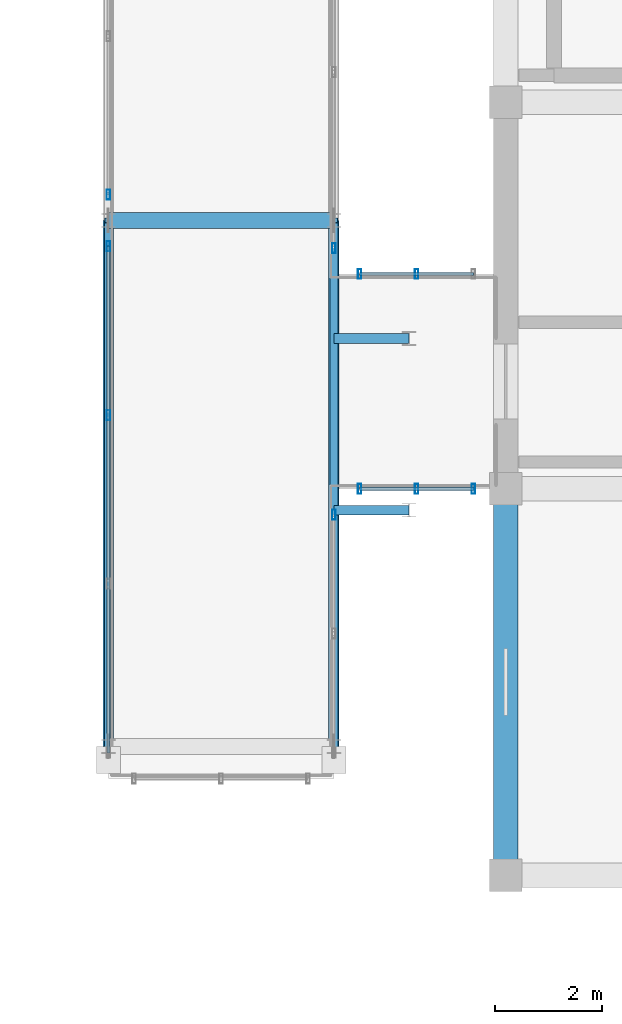
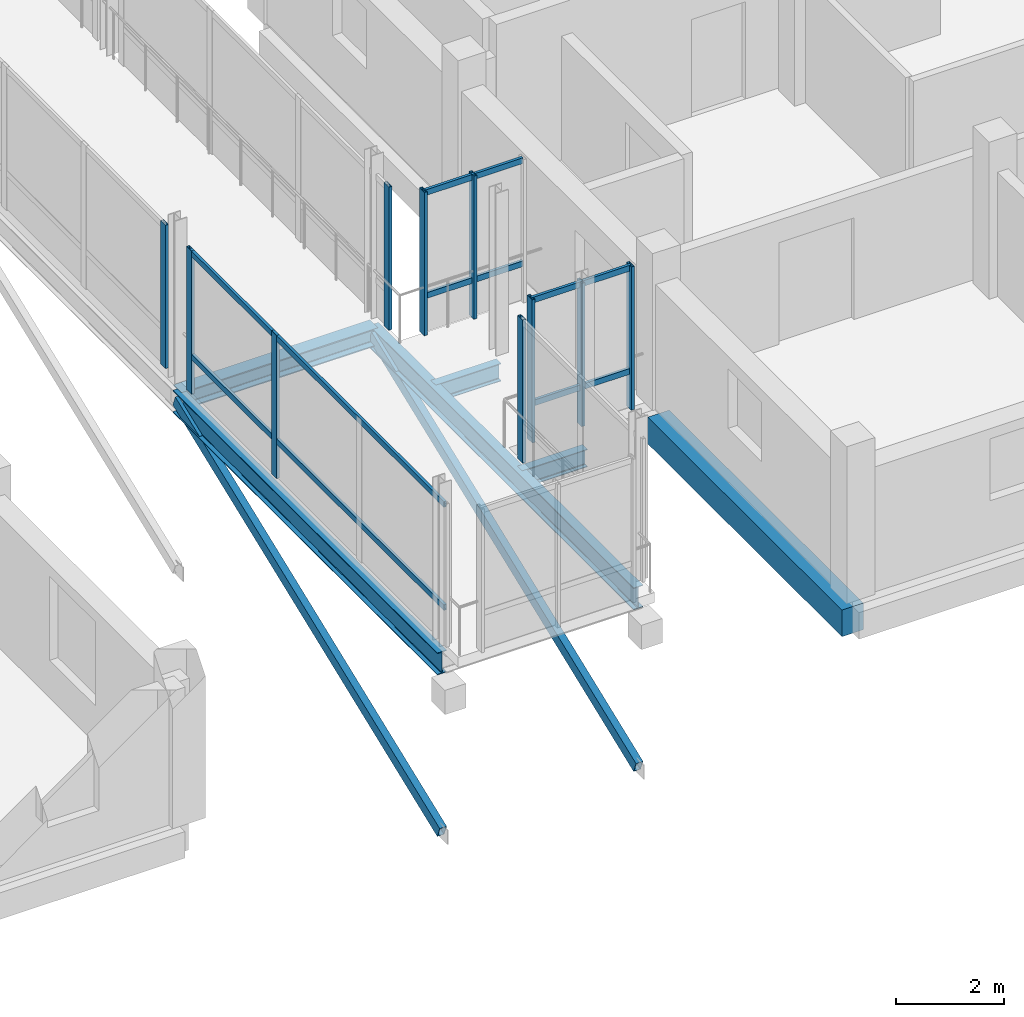
# One storey, part 18 of 128: 18 members, 6 beams, 6 elements without a shape of their own.
"""IFC4 building model written with IfcOpenShell, lengths in metres."""

from ifc_helpers import new_model, si_unit, direction, frame, origin, origin_2d, place, context, subcontext, project, spatial, rectangle, hollow_rectangle, i_section, extrude, material, material_profile, profile_set, type_object, element, aggregate, save


model = new_model("IFC4")

# Units and contexts
model_context = context("Model", 3, precision=1e-05, world=origin(), true_north=direction((0.0, 1.0)))
body_context = subcontext(model_context, "Body", "Model", "MODEL_VIEW")
ifc_project = project(units=[si_unit("LENGTHUNIT", "METRE"), si_unit("AREAUNIT", "SQUARE_METRE"), si_unit("VOLUMEUNIT", "CUBIC_METRE"), si_unit("PLANEANGLEUNIT", "RADIAN"), si_unit("MASSUNIT", "GRAM", prefix="KILO")], contexts=[model_context])

# Site, building, storey
site_placement = place(None, origin())
site = spatial("IfcSite", under=ifc_project, at=site_placement, CompositionType="ELEMENT")
building_placement = place(site_placement, origin())
building = spatial("IfcBuilding", under=site, at=building_placement, Name="Zornivar Specialist Clinic", CompositionType="ELEMENT")
storey_placement = place(building_placement, frame((0.0, 0.0, 4.5)))
storey = spatial("IfcBuildingStorey", under=building, at=storey_placement, Name="L01", CompositionType="ELEMENT", Elevation=4.5)

# Beams
ifc_material_1 = material(Name="Concrete C30/37", Category="concrete")
ifc_material_profile_1 = material_profile(ifc_material_1, rectangle(XDim=0.4599609375, YDim=0.60009765625, at=origin_2d()), Name="RC 460x600")
ifc_profile_set_1 = profile_set([ifc_material_profile_1], Name="Concrete C30/37")
beam_type_1 = type_object("IfcBeamType", Name="BM-RC-SPANDREL-460x600", PredefinedType="SPANDREL", material=ifc_profile_set_1)
beam_1_placement = place(storey_placement, frame((57.60009765625, 0.0, -0.64990234375), z_axis=(0.0, 1.0, 0.0), x_axis=(-1.0, 0.0, 0.0)))
element("IfcBeam", 1, at=beam_1_placement, inside=storey, type_object=beam_type_1, Name="bm:V3:L01:y:576:0", PredefinedType="SPANDREL", context=body_context, shape_type="SweptSolid", body=[
    extrude(rectangle(XDim=0.4599609375, YDim=0.60009765625, at=origin_2d()), origin(), (0.0, 0.0, 1.0), 7.199951171875),
])
ifc_material_2 = material(Name="Steel S355J2", Category="steel")
ifc_material_profile_2 = material_profile(ifc_material_2, i_section(OverallWidth=0.300048828125, OverallDepth=0.39990234375, WebThickness=0.013427734375, FlangeThickness=0.02392578125, FilletRadius=0.027099609375, at=origin_2d()), Name="HEB 400")
ifc_profile_set_2 = profile_set([ifc_material_profile_2], Name="Steel S355J2")
beam_type_2 = type_object("IfcBeamType", Name="BM-STL-HEB400", PredefinedType="BEAM", material=ifc_profile_set_2)
beam_2_placement = place(storey_placement, frame((50.199951171875, 12.199951171875, -0.429931640625), z_axis=(1.0, 0.0, 0.0), x_axis=(0.0, 1.0, 0.0)))
element("IfcBeam", 2, at=beam_2_placement, inside=storey, type_object=beam_type_2, Name="bm:BR1:L01:t:122", PredefinedType="BEAM", context=body_context, shape_type="SweptSolid", body=[
    extrude(i_section(OverallWidth=0.300048828125, OverallDepth=0.39990234375, WebThickness=0.013427734375, FlangeThickness=0.02392578125, FilletRadius=0.027099609375, at=origin_2d()), origin(), (0.0, 0.0, 1.0), 4.199951171875),
])
ifc_material_3 = material(Name="Steel S355J2", Category="steel")
ifc_material_profile_3 = material_profile(ifc_material_3, i_section(OverallWidth=0.179931640625, OverallDepth=0.39990234375, WebThickness=0.008544921875, FlangeThickness=0.013427734375, FilletRadius=0.02099609375, at=origin_2d()), Name="IPE 400")
ifc_profile_set_3 = profile_set([ifc_material_profile_3], Name="Steel S355J2")
beam_type_3 = type_object("IfcBeamType", Name="BM-STL-IPE400", PredefinedType="BEAM", material=ifc_profile_set_3)
for number, where, z_axis, x_axis, name in (
    (3, (54.39990234375, 6.800048828125, -0.429931640625), (1.0, 0.0, 0.0), (0.0, 1.0, 0.0), "bm:BR1:L01:spur:68"),
    (4, (54.39990234375, 10.0, -0.429931640625), (1.0, 0.0, 0.0), (0.0, 1.0, 0.0), "bm:BR1:L01:spur:100"),
):
    element("IfcBeam", number, at=place(storey_placement, frame(where, z_axis=z_axis, x_axis=x_axis)), inside=storey, type_object=beam_type_3, Name=name, PredefinedType="BEAM", context=body_context, shape_type="SweptSolid", body=[
        extrude(i_section(OverallWidth=0.179931640625, OverallDepth=0.39990234375, WebThickness=0.008544921875, FlangeThickness=0.013427734375, FilletRadius=0.02099609375, at=origin_2d()), origin(), (0.0, 0.0, 1.0), 1.400146484375),
    ])
ifc_material_4 = material(Name="Steel S355J2", Category="steel")
ifc_material_profile_4 = material_profile(ifc_material_4, i_section(OverallWidth=0.199951171875, OverallDepth=0.5, WebThickness=0.01025390625, FlangeThickness=0.01611328125, FilletRadius=0.02099609375, at=origin_2d()), Name="IPE 500")
ifc_profile_set_4 = profile_set([ifc_material_profile_4], Name="Steel S355J2")
beam_type_4 = type_object("IfcBeamType", Name="BM-STL-IPE500", PredefinedType="BEAM", material=ifc_profile_set_4)
for number, where, z_axis, x_axis, name in (
    (5, (50.199951171875, 2.39990234375, -0.47998046875), (0.0, 1.0, 0.0), (-1.0, 0.0, 0.0), "bm:BR1:L01:g:502:0"),
    (6, (54.39990234375, 2.39990234375, -0.47998046875), (0.0, 1.0, 0.0), (-1.0, 0.0, 0.0), "bm:BR1:L01:g:544:0"),
):
    element("IfcBeam", number, at=place(storey_placement, frame(where, z_axis=z_axis, x_axis=x_axis)), inside=storey, type_object=beam_type_4, Name=name, PredefinedType="BEAM", context=body_context, shape_type="SweptSolid", body=[
        extrude(i_section(OverallWidth=0.199951171875, OverallDepth=0.5, WebThickness=0.01025390625, FlangeThickness=0.01611328125, FilletRadius=0.02099609375, at=origin_2d()), origin(), (0.0, 0.0, 1.0), 9.800048828125),
    ])

# Curtain wall, members
ifc_material_5 = material(Name="Aluminium and Low-E Glass Curtain Wall", Category="aluminium")
curtain_wall_type = type_object("IfcCurtainWallType", Name="CW-BRIDGE-LINK", PredefinedType="NOTDEFINED", material=ifc_material_5)
curtain_wall_1_placement = place(storey_placement, origin())
curtain_wall_1 = element("IfcCurtainWall", 7, at=curtain_wall_1_placement, inside=storey, type_object=curtain_wall_type, Name="cw:BR1:L01:W:0", PredefinedType="NOTDEFINED")
ifc_material_6 = material(Name="Aluminium AW-6060", Category="aluminium")
ifc_material_profile_5 = material_profile(ifc_material_6, hollow_rectangle(XDim=0.06494140625, YDim=0.18505859375, WallThickness=0.00439453125, at=origin_2d()), Name="ALU 65x185x4.5")
ifc_profile_set_5 = profile_set([ifc_material_profile_5], Name="Aluminium AW-6060")
member_type_1 = type_object("IfcMemberType", Name="CWM-MUL-185", PredefinedType="MULLION", material=ifc_profile_set_5)
member_1_placement = place(storey_placement, frame((50.199951171875, 8.572998046875, 0.0), z_axis=(0.0, 0.0, 1.0), x_axis=(1.0, 0.0, 0.0)))
member_1 = element("IfcMember", 8, at=member_1_placement, type_object=member_type_1, Name="cw:BR1:L01:W:0:mul:2", PredefinedType="MULLION", context=body_context, shape_type="SweptSolid", body=[
    extrude(hollow_rectangle(XDim=0.06494140625, YDim=0.18505859375, WallThickness=0.00439453125, at=origin_2d()), origin(), (0.0, 0.0, 1.0), 3.239990234375),
])
member_2_placement = place(storey_placement, frame((50.199951171875, 11.719970703125, 0.0), z_axis=(0.0, 0.0, 1.0), x_axis=(1.0, 0.0, 0.0)))
member_2 = element("IfcMember", 9, at=member_2_placement, type_object=member_type_1, Name="cw:BR1:L01:W:0:mul:3", PredefinedType="MULLION", context=body_context, shape_type="SweptSolid", body=[
    extrude(hollow_rectangle(XDim=0.06494140625, YDim=0.18505859375, WallThickness=0.00439453125, at=origin_2d()), origin(), (0.0, 0.0, 1.0), 3.239990234375),
])

# Curtain wall, member
curtain_wall_2_placement = place(storey_placement, origin())
curtain_wall_2 = element("IfcCurtainWall", 10, at=curtain_wall_2_placement, inside=storey, type_object=curtain_wall_type, Name="cw:BR1:L01:W:1", PredefinedType="NOTDEFINED")
member_3_placement = place(storey_placement, frame((50.199951171875, 12.679931640625, 0.0), z_axis=(0.0, 0.0, 1.0), x_axis=(1.0, 0.0, 0.0)))
member_3 = element("IfcMember", 11, at=member_3_placement, type_object=member_type_1, Name="cw:BR1:L01:W:1:mul:0", PredefinedType="MULLION", context=body_context, shape_type="SweptSolid", body=[
    extrude(hollow_rectangle(XDim=0.06494140625, YDim=0.18505859375, WallThickness=0.00439453125, at=origin_2d()), origin(), (0.0, 0.0, 1.0), 3.239990234375),
])
aggregate(curtain_wall_2, [member_3])

curtain_wall_3_placement = place(storey_placement, origin())
curtain_wall_3 = element("IfcCurtainWall", 12, at=curtain_wall_3_placement, inside=storey, type_object=curtain_wall_type, Name="cw:BR1:L01:E:0", PredefinedType="NOTDEFINED")
member_4_placement = place(storey_placement, frame((54.39990234375, 6.719970703125, 0.0), z_axis=(0.0, 0.0, 1.0), x_axis=(1.0, 0.0, 0.0)))
member_4 = element("IfcMember", 13, at=member_4_placement, type_object=member_type_1, Name="cw:BR1:L01:E:0:mul:2", PredefinedType="MULLION", context=body_context, shape_type="SweptSolid", body=[
    extrude(hollow_rectangle(XDim=0.06494140625, YDim=0.18505859375, WallThickness=0.00439453125, at=origin_2d()), origin(), (0.0, 0.0, 1.0), 3.239990234375),
])
aggregate(curtain_wall_3, [member_4])

curtain_wall_4_placement = place(storey_placement, origin())
curtain_wall_4 = element("IfcCurtainWall", 14, at=curtain_wall_4_placement, inside=storey, type_object=curtain_wall_type, Name="cw:BR1:L01:E:1", PredefinedType="NOTDEFINED")
member_5_placement = place(storey_placement, frame((54.39990234375, 11.679931640625, 0.0), z_axis=(0.0, 0.0, 1.0), x_axis=(1.0, 0.0, 0.0)))
member_5 = element("IfcMember", 15, at=member_5_placement, type_object=member_type_1, Name="cw:BR1:L01:E:1:mul:0", PredefinedType="MULLION", context=body_context, shape_type="SweptSolid", body=[
    extrude(hollow_rectangle(XDim=0.06494140625, YDim=0.18505859375, WallThickness=0.00439453125, at=origin_2d()), origin(), (0.0, 0.0, 1.0), 3.239990234375),
])
aggregate(curtain_wall_4, [member_5])

# Curtain wall, members
curtain_wall_5_placement = place(storey_placement, origin())
curtain_wall_5 = element("IfcCurtainWall", 16, at=curtain_wall_5_placement, inside=storey, type_object=curtain_wall_type, Name="cw:BR1:L01:spS", PredefinedType="NOTDEFINED")
member_6_placement = place(storey_placement, frame((54.8798828125, 7.199951171875, 0.0), z_axis=(0.0, 0.0, 1.0), x_axis=(1.0, 0.0, 0.0)))
member_6 = element("IfcMember", 17, at=member_6_placement, type_object=member_type_1, Name="cw:BR1:L01:spS:mul:0", PredefinedType="MULLION", context=body_context, shape_type="SweptSolid", body=[
    extrude(hollow_rectangle(XDim=0.06494140625, YDim=0.18505859375, WallThickness=0.00439453125, at=origin_2d()), origin(), (0.0, 0.0, 1.0), 3.239990234375),
])
member_7_placement = place(storey_placement, frame((55.93994140625, 7.199951171875, 0.0), z_axis=(0.0, 0.0, 1.0), x_axis=(1.0, 0.0, 0.0)))
member_7 = element("IfcMember", 18, at=member_7_placement, type_object=member_type_1, Name="cw:BR1:L01:spS:mul:1", PredefinedType="MULLION", context=body_context, shape_type="SweptSolid", body=[
    extrude(hollow_rectangle(XDim=0.06494140625, YDim=0.18505859375, WallThickness=0.00439453125, at=origin_2d()), origin(), (0.0, 0.0, 1.0), 3.239990234375),
])
member_8_placement = place(storey_placement, frame((57.0, 7.199951171875, 0.0), z_axis=(0.0, 0.0, 1.0), x_axis=(1.0, 0.0, 0.0)))
member_8 = element("IfcMember", 19, at=member_8_placement, type_object=member_type_1, Name="cw:BR1:L01:spS:mul:2", PredefinedType="MULLION", context=body_context, shape_type="SweptSolid", body=[
    extrude(hollow_rectangle(XDim=0.06494140625, YDim=0.18505859375, WallThickness=0.00439453125, at=origin_2d()), origin(), (0.0, 0.0, 1.0), 3.239990234375),
])

curtain_wall_6_placement = place(storey_placement, origin())
curtain_wall_6 = element("IfcCurtainWall", 20, at=curtain_wall_6_placement, inside=storey, type_object=curtain_wall_type, Name="cw:BR1:L01:spN", PredefinedType="NOTDEFINED")
member_9_placement = place(storey_placement, frame((54.8798828125, 11.199951171875, 0.0), z_axis=(0.0, 0.0, 1.0), x_axis=(1.0, 0.0, 0.0)))
member_9 = element("IfcMember", 21, at=member_9_placement, type_object=member_type_1, Name="cw:BR1:L01:spN:mul:0", PredefinedType="MULLION", context=body_context, shape_type="SweptSolid", body=[
    extrude(hollow_rectangle(XDim=0.06494140625, YDim=0.18505859375, WallThickness=0.00439453125, at=origin_2d()), origin(), (0.0, 0.0, 1.0), 3.239990234375),
])
member_10_placement = place(storey_placement, frame((55.93994140625, 11.199951171875, 0.0), z_axis=(0.0, 0.0, 1.0), x_axis=(1.0, 0.0, 0.0)))
member_10 = element("IfcMember", 22, at=member_10_placement, type_object=member_type_1, Name="cw:BR1:L01:spN:mul:1", PredefinedType="MULLION", context=body_context, shape_type="SweptSolid", body=[
    extrude(hollow_rectangle(XDim=0.06494140625, YDim=0.18505859375, WallThickness=0.00439453125, at=origin_2d()), origin(), (0.0, 0.0, 1.0), 3.239990234375),
])

# Member
ifc_material_7 = material(Name="Aluminium AW-6060", Category="aluminium")
ifc_material_profile_6 = material_profile(ifc_material_7, hollow_rectangle(XDim=0.06005859375, YDim=0.1298828125, WallThickness=0.00390625, at=origin_2d()), Name="ALU 60x130x4")
ifc_profile_set_6 = profile_set([ifc_material_profile_6], Name="Aluminium AW-6060")
member_type_2 = type_object("IfcMemberType", Name="CWM-TRN-130", PredefinedType="USERDEFINED", material=ifc_profile_set_6)
member_11_placement = place(storey_placement, frame((50.199951171875, 2.280029296875, 0.842041015625), z_axis=(0.0, 1.0, 0.0), x_axis=(-1.0, 0.0, 0.0)))
member_11 = element("IfcMember", 23, at=member_11_placement, type_object=member_type_2, Name="cw:BR1:L01:W:0:trn:0", ObjectType="TRANSOM", PredefinedType="USERDEFINED", context=body_context, shape_type="SweptSolid", body=[
    extrude(hollow_rectangle(XDim=0.06005859375, YDim=0.1298828125, WallThickness=0.00390625, at=origin_2d()), origin(), (0.0, 0.0, 1.0), 9.43994140625),
])

member_12_placement = place(storey_placement, frame((50.199951171875, 2.280029296875, 3.175048828125), z_axis=(0.0, 1.0, 0.0), x_axis=(-1.0, 0.0, 0.0)))
member_12 = element("IfcMember", 24, at=member_12_placement, type_object=member_type_2, Name="cw:BR1:L01:W:0:trn:1", ObjectType="TRANSOM", PredefinedType="USERDEFINED", context=body_context, shape_type="SweptSolid", body=[
    extrude(hollow_rectangle(XDim=0.06005859375, YDim=0.1298828125, WallThickness=0.00390625, at=origin_2d()), origin(), (0.0, 0.0, 1.0), 9.43994140625),
])

aggregate(curtain_wall_1, [member_1, member_2, member_11, member_12])

member_13_placement = place(storey_placement, frame((54.8798828125, 7.199951171875, 0.842041015625), z_axis=(1.0, 0.0, 0.0), x_axis=(0.0, 1.0, 0.0)))
member_13 = element("IfcMember", 25, at=member_13_placement, type_object=member_type_2, Name="cw:BR1:L01:spS:trn:0", ObjectType="TRANSOM", PredefinedType="USERDEFINED", context=body_context, shape_type="SweptSolid", body=[
    extrude(hollow_rectangle(XDim=0.06005859375, YDim=0.1298828125, WallThickness=0.00390625, at=origin_2d()), origin(), (0.0, 0.0, 1.0), 2.1201171875),
])

member_14_placement = place(storey_placement, frame((54.8798828125, 7.199951171875, 3.175048828125), z_axis=(1.0, 0.0, 0.0), x_axis=(0.0, 1.0, 0.0)))
member_14 = element("IfcMember", 26, at=member_14_placement, type_object=member_type_2, Name="cw:BR1:L01:spS:trn:1", ObjectType="TRANSOM", PredefinedType="USERDEFINED", context=body_context, shape_type="SweptSolid", body=[
    extrude(hollow_rectangle(XDim=0.06005859375, YDim=0.1298828125, WallThickness=0.00390625, at=origin_2d()), origin(), (0.0, 0.0, 1.0), 2.1201171875),
])

aggregate(curtain_wall_5, [member_6, member_7, member_8, member_13, member_14])

member_15_placement = place(storey_placement, frame((54.8798828125, 11.199951171875, 0.842041015625), z_axis=(1.0, 0.0, 0.0), x_axis=(0.0, 1.0, 0.0)))
member_15 = element("IfcMember", 27, at=member_15_placement, type_object=member_type_2, Name="cw:BR1:L01:spN:trn:0", ObjectType="TRANSOM", PredefinedType="USERDEFINED", context=body_context, shape_type="SweptSolid", body=[
    extrude(hollow_rectangle(XDim=0.06005859375, YDim=0.1298828125, WallThickness=0.00390625, at=origin_2d()), origin(), (0.0, 0.0, 1.0), 2.1201171875),
])

member_16_placement = place(storey_placement, frame((54.8798828125, 11.199951171875, 3.175048828125), z_axis=(1.0, 0.0, 0.0), x_axis=(0.0, 1.0, 0.0)))
member_16 = element("IfcMember", 28, at=member_16_placement, type_object=member_type_2, Name="cw:BR1:L01:spN:trn:1", ObjectType="TRANSOM", PredefinedType="USERDEFINED", context=body_context, shape_type="SweptSolid", body=[
    extrude(hollow_rectangle(XDim=0.06005859375, YDim=0.1298828125, WallThickness=0.00390625, at=origin_2d()), origin(), (0.0, 0.0, 1.0), 2.1201171875),
])

aggregate(curtain_wall_6, [member_9, member_10, member_15, member_16])

# Members
ifc_material_8 = material(Name="Steel S355J2", Category="steel")
ifc_material_profile_7 = material_profile(ifc_material_8, hollow_rectangle(XDim=0.14990234375, YDim=0.25, WallThickness=0.010009765625, at=origin_2d()), Name="RHS 250x150x10")
ifc_profile_set_7 = profile_set([ifc_material_profile_7], Name="Steel S355J2")
member_type_3 = type_object("IfcMemberType", Name="MEM-BR-BRACE-RHS250", PredefinedType="BRACE", material=ifc_profile_set_7)
for number, where, z_axis, x_axis, name in (
    (29, (50.199951171875, 2.39990234375, -4.300048828125), (0.0, 0.931717320605, 0.363184298236), (-1.0, 0.0, 0.0), "mem:BR1:L01:brace:0"),
    (30, (54.39990234375, 2.39990234375, -4.300048828125), (0.0, 0.931717320605, 0.363184298236), (-1.0, 0.0, 0.0), "mem:BR1:L01:braceE:0"),
):
    element("IfcMember", number, at=place(storey_placement, frame(where, z_axis=z_axis, x_axis=x_axis)), inside=storey, type_object=member_type_3, Name=name, PredefinedType="BRACE", context=body_context, shape_type="SweptSolid", body=[
        extrude(hollow_rectangle(XDim=0.14990234375, YDim=0.25, WallThickness=0.010009765625, at=origin_2d()), origin(), (0.0, 0.0, 1.0), 10.518310546875),
    ])

save(model, "model.ifc")
